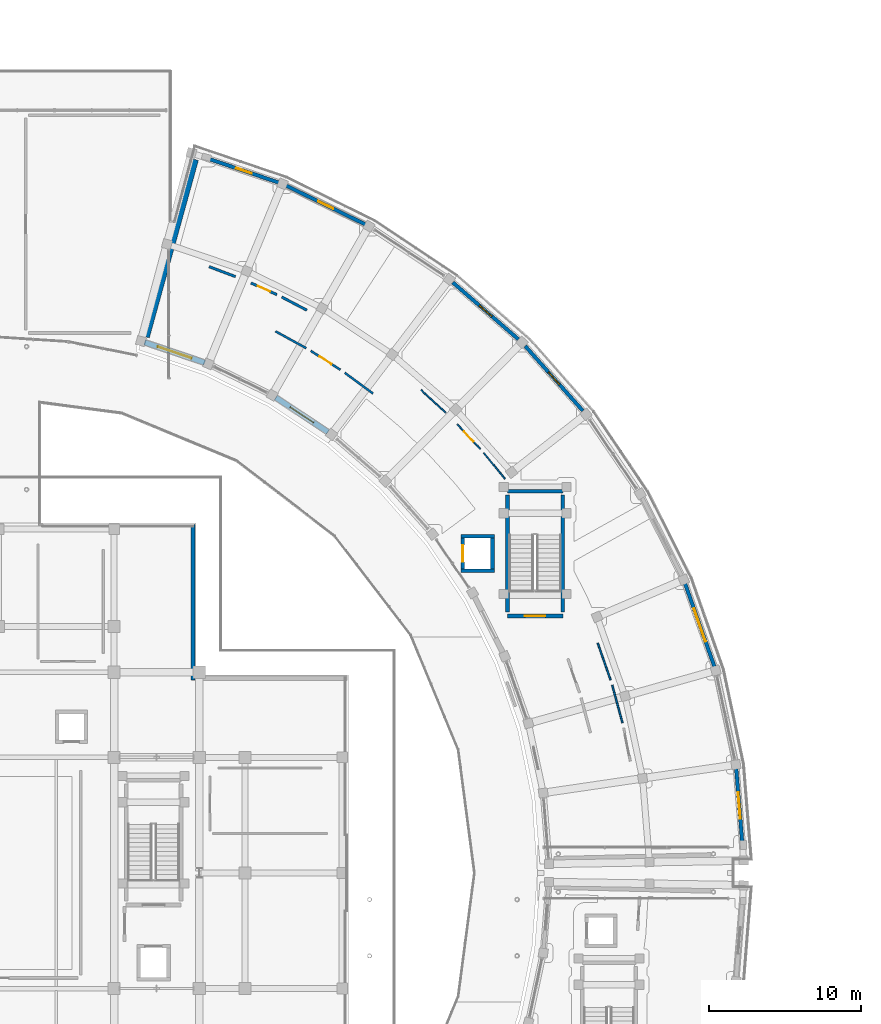
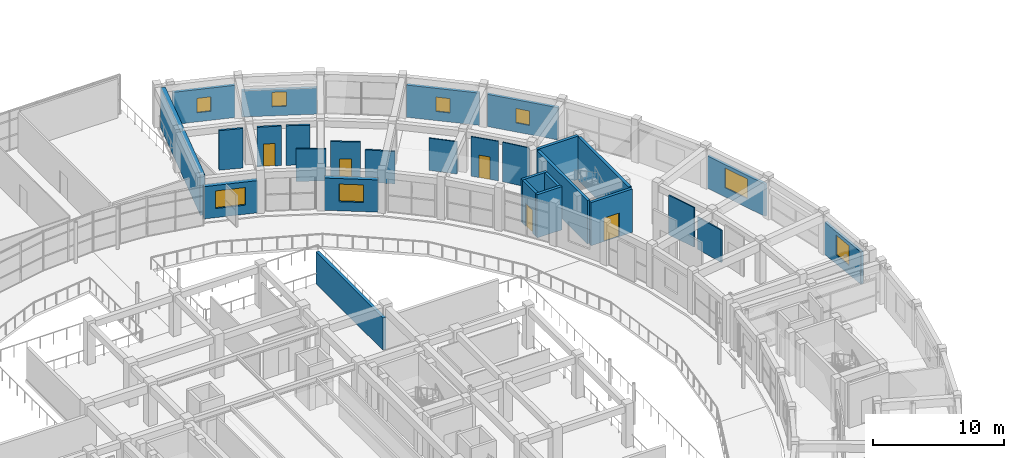
# One storey, part 61 of 83: 29 walls, 8 windows, 5 doors, 13 openings.
"""IFC4 building model written with IfcOpenShell, lengths in metres."""

from ifc_helpers import new_model, si_unit, direction, frame, frame_2d, origin, place, context, subcontext, project, spatial, rectangle, extrude, material, layer, layer_set, type_object, element, fill, save


model = new_model("IFC4")

# Units and contexts
model_context = context("Model", 3, precision=1e-05, world=origin(), true_north=direction((0.0, 1.0)))
body_context = subcontext(model_context, "Body", "Model", "MODEL_VIEW")
ifc_project = project(units=[si_unit("LENGTHUNIT", "METRE"), si_unit("AREAUNIT", "SQUARE_METRE"), si_unit("VOLUMEUNIT", "CUBIC_METRE"), si_unit("PLANEANGLEUNIT", "RADIAN"), si_unit("MASSUNIT", "GRAM", prefix="KILO")], contexts=[model_context])

# Site, building, storey
site_placement = place(None, origin())
site = spatial("IfcSite", under=ifc_project, at=site_placement, CompositionType="ELEMENT")
building_placement = place(site_placement, origin())
building = spatial("IfcBuilding", under=site, at=building_placement, Name="Saryqyr Civic Hall", CompositionType="ELEMENT")
storey_placement = place(building_placement, frame((0.0, 0.0, 9.14990234375)))
storey = spatial("IfcBuildingStorey", under=building, at=storey_placement, Name="L02", CompositionType="ELEMENT", Elevation=9.14990234375)

# Wall, opening, window
ifc_material_1 = material(Name="Precast concrete C40/50", Category="concrete")
ifc_layer_1 = layer(ifc_material_1, 0.239990234375, Name="Precast concrete C40/50")
ifc_layer_set_1 = layer_set([ifc_layer_1], Name="Precast concrete C40/50")
wall_type_1 = type_object("IfcWallType", Name="ENV-WAL-EXT-240", PredefinedType="STANDARD", material=ifc_layer_set_1)
wall_1_placement = place(storey_placement, frame((105.4990234375, 90.885009765625, 0.0), z_axis=(0.0, 0.0, 1.0), x_axis=(0.081149437974, -0.996701945777, 0.0)))
wall_1 = element("IfcWall", 1, at=wall_1_placement, inside=storey, type_object=wall_type_1, Name="Exterior wall V6-EWO-L02-00", PredefinedType="STANDARD", context=body_context, shape_type="SweptSolid", body=[
    extrude(rectangle(XDim=4.912841796875, YDim=0.239990234375, at=frame_2d((2.45654296875, 0.0))), origin(), (0.0, 0.0, 1.0), 3.01513671875),
])
opening_1_placement = place(wall_1_placement, frame((1.5810546875, 0.0, 0.85009765625)))
opening_1 = element("IfcOpeningElement", 2, at=opening_1_placement, cuts=wall_1, Name="Opening W-27", PredefinedType="OPENING", context=body_context, shape_type="SweptSolid", body=[
    extrude(rectangle(XDim=1.75, YDim=1.85009765625, at=frame_2d((0.875, 0.925048828125))), frame((0.0, 0.1298828125, 0.0), z_axis=(0.0, -1.0, 0.0), x_axis=(1.0, 0.0, 0.0)), (0.0, 0.0, 1.0), 0.260009765625),
])
ifc_material_2 = material(Name="Anodised aluminium and triple low-E glass", Category="aluminium")
window_type_1 = type_object("IfcWindowType", Name="ENV-WIN-W27", PartitioningType="SINGLE_PANEL", PredefinedType="WINDOW", material=ifc_material_2)
window_1_placement = place(opening_1_placement, origin())
window_1 = element("IfcWindow", 3, at=window_1_placement, inside=storey, type_object=window_type_1, Name="Exterior ribbon window V6-L02-00", OverallHeight=1.85009765625, OverallWidth=1.75, PartitioningType="SINGLE_PANEL", PredefinedType="WINDOW", context=body_context, shape_type="SweptSolid", body=[
    extrude(rectangle(XDim=1.75, YDim=1.85009765625, at=frame_2d((0.875, 0.925048828125))), frame((0.0, 0.030029296875, 0.0), z_axis=(0.0, -1.0, 0.0), x_axis=(1.0, 0.0, 0.0)), (0.0, 0.0, 1.0), 0.06005859375),
])
fill(opening_1, window_1)

wall_2_placement = place(storey_placement, frame((102.13232421875, 103.04052734375, 0.0), z_axis=(0.0, 0.0, 1.0), x_axis=(0.333212182882, -0.942851865978, 0.0)))
wall_2 = element("IfcWall", 4, at=wall_2_placement, inside=storey, type_object=wall_type_1, Name="Exterior wall V6-EWO-L02-02", PredefinedType="STANDARD", context=body_context, shape_type="SweptSolid", body=[
    extrude(rectangle(XDim=5.830078125, YDim=0.239990234375, at=frame_2d((2.9150390625, 0.0))), origin(), (0.0, 0.0, 1.0), 3.01513671875),
])
opening_2_placement = place(wall_2_placement, frame((1.764892578125, 0.0, 0.85009765625)))
opening_2 = element("IfcOpeningElement", 5, at=opening_2_placement, cuts=wall_2, Name="Opening W-29", PredefinedType="OPENING", context=body_context, shape_type="SweptSolid", body=[
    extrude(rectangle(XDim=2.300048828125, YDim=1.85009765625, at=frame_2d((1.14990234375, 0.925048828125))), frame((0.0, 0.1298828125, 0.0), z_axis=(0.0, -1.0, 0.0), x_axis=(1.0, 0.0, 0.0)), (0.0, 0.0, 1.0), 0.260009765625),
])
window_type_2 = type_object("IfcWindowType", Name="ENV-WIN-W29", PartitioningType="SINGLE_PANEL", PredefinedType="WINDOW", material=ifc_material_2)
window_2_placement = place(opening_2_placement, origin())
window_2 = element("IfcWindow", 6, at=window_2_placement, inside=storey, type_object=window_type_2, Name="Exterior ribbon window V6-L02-02", OverallHeight=1.85009765625, OverallWidth=2.300048828125, PartitioningType="SINGLE_PANEL", PredefinedType="WINDOW", context=body_context, shape_type="SweptSolid", body=[
    extrude(rectangle(XDim=2.300048828125, YDim=1.85009765625, at=frame_2d((1.14990234375, 0.925048828125))), frame((0.0, 0.030029296875, 0.0), z_axis=(0.0, -1.0, 0.0), x_axis=(1.0, 0.0, 0.0)), (0.0, 0.0, 1.0), 0.06005859375),
])
fill(opening_2, window_2)

wall_3_placement = place(storey_placement, frame((91.626953125, 118.642333984375, 0.0), z_axis=(0.0, 0.0, 1.0), x_axis=(0.6649220167, -0.746912787217, 0.0)))
wall_3 = element("IfcWall", 7, at=wall_3_placement, inside=storey, type_object=wall_type_1, Name="Exterior wall V6-EWO-L02-05", PredefinedType="STANDARD", context=body_context, shape_type="SweptSolid", body=[
    extrude(rectangle(XDim=5.69921875, YDim=0.239990234375, at=frame_2d((2.849609375, 0.0))), origin(), (0.0, 0.0, 1.0), 3.01513671875),
])
opening_3_placement = place(wall_3_placement, frame((2.300048828125, 0.0, 0.85009765625)))
opening_3 = element("IfcOpeningElement", 8, at=opening_3_placement, cuts=wall_3, Name="Opening W-01", PredefinedType="OPENING", context=body_context, shape_type="SweptSolid", body=[
    extrude(rectangle(XDim=1.10009765625, YDim=1.35009765625, at=frame_2d((0.550048828125, 0.675048828125))), frame((0.0, 0.1298828125, 0.0), z_axis=(0.0, -1.0, 0.0), x_axis=(1.0, 0.0, 0.0)), (0.0, 0.0, 1.0), 0.260009765625),
])
window_type_3 = type_object("IfcWindowType", Name="ENV-WIN-W01", PartitioningType="SINGLE_PANEL", PredefinedType="WINDOW", material=ifc_material_2)
window_3_placement = place(opening_3_placement, origin())
window_3 = element("IfcWindow", 9, at=window_3_placement, inside=storey, type_object=window_type_3, Name="Exterior ribbon window V6-L02-05", OverallHeight=1.35009765625, OverallWidth=1.10009765625, PartitioningType="SINGLE_PANEL", PredefinedType="WINDOW", context=body_context, shape_type="SweptSolid", body=[
    extrude(rectangle(XDim=1.10009765625, YDim=1.35009765625, at=frame_2d((0.550048828125, 0.675048828125))), frame((0.0, 0.030029296875, 0.0), z_axis=(0.0, -1.0, 0.0), x_axis=(1.0, 0.0, 0.0)), (0.0, 0.0, 1.0), 0.06005859375),
])
fill(opening_3, window_3)

wall_4_placement = place(storey_placement, frame((86.87060546875, 122.818603515625, 0.0), z_axis=(0.0, 0.0, 1.0), x_axis=(0.755648143479, -0.654977773101, 0.0)))
wall_4 = element("IfcWall", 10, at=wall_4_placement, inside=storey, type_object=wall_type_1, Name="Exterior wall V6-EWO-L02-06", PredefinedType="STANDARD", context=body_context, shape_type="SweptSolid", body=[
    extrude(rectangle(XDim=5.706298828125, YDim=0.239990234375, at=frame_2d((2.85302734375, 0.0))), origin(), (0.0, 0.0, 1.0), 3.01513671875),
])
opening_4_placement = place(wall_4_placement, frame((2.302978515625, 0.0, 0.85009765625)))
opening_4 = element("IfcOpeningElement", 11, at=opening_4_placement, cuts=wall_4, Name="Opening W-01", PredefinedType="OPENING", context=body_context, shape_type="SweptSolid", body=[
    extrude(rectangle(XDim=1.10009765625, YDim=1.35009765625, at=frame_2d((0.550048828125, 0.675048828125))), frame((0.0, 0.1298828125, 0.0), z_axis=(0.0, -1.0, 0.0), x_axis=(1.0, 0.0, 0.0)), (0.0, 0.0, 1.0), 0.260009765625),
])
window_4_placement = place(opening_4_placement, origin())
window_4 = element("IfcWindow", 12, at=window_4_placement, inside=storey, type_object=window_type_3, Name="Exterior ribbon window V6-L02-06", OverallHeight=1.35009765625, OverallWidth=1.10009765625, PartitioningType="SINGLE_PANEL", PredefinedType="WINDOW", context=body_context, shape_type="SweptSolid", body=[
    extrude(rectangle(XDim=1.10009765625, YDim=1.35009765625, at=frame_2d((0.550048828125, 0.675048828125))), frame((0.0, 0.030029296875, 0.0), z_axis=(0.0, -1.0, 0.0), x_axis=(1.0, 0.0, 0.0)), (0.0, 0.0, 1.0), 0.06005859375),
])
fill(opening_4, window_4)

wall_5_placement = place(storey_placement, frame((75.911376953125, 129.185791015625, 0.0), z_axis=(0.0, 0.0, 1.0), x_axis=(0.897990135392, -0.440015586927, 0.0)))
wall_5 = element("IfcWall", 13, at=wall_5_placement, inside=storey, type_object=wall_type_1, Name="Exterior wall V6-EWO-L02-08", PredefinedType="STANDARD", context=body_context, shape_type="SweptSolid", body=[
    extrude(rectangle(XDim=5.8046875, YDim=0.239990234375, at=frame_2d((2.90234375, 0.0))), origin(), (0.0, 0.0, 1.0), 2.4501953125),
])
opening_5_placement = place(wall_5_placement, frame((2.35205078125, 0.0, 0.85009765625)))
opening_5 = element("IfcOpeningElement", 14, at=opening_5_placement, cuts=wall_5, Name="Opening W-01", PredefinedType="OPENING", context=body_context, shape_type="SweptSolid", body=[
    extrude(rectangle(XDim=1.10009765625, YDim=1.35009765625, at=frame_2d((0.550048828125, 0.675048828125))), frame((0.0, 0.1298828125, 0.0), z_axis=(0.0, -1.0, 0.0), x_axis=(1.0, 0.0, 0.0)), (0.0, 0.0, 1.0), 0.260009765625),
])
window_5_placement = place(opening_5_placement, origin())
window_5 = element("IfcWindow", 15, at=window_5_placement, inside=storey, type_object=window_type_3, Name="Exterior ribbon window V6-L02-08", OverallHeight=1.35009765625, OverallWidth=1.10009765625, PartitioningType="SINGLE_PANEL", PredefinedType="WINDOW", context=body_context, shape_type="SweptSolid", body=[
    extrude(rectangle(XDim=1.10009765625, YDim=1.35009765625, at=frame_2d((0.550048828125, 0.675048828125))), frame((0.0, 0.030029296875, 0.0), z_axis=(0.0, -1.0, 0.0), x_axis=(1.0, 0.0, 0.0)), (0.0, 0.0, 1.0), 0.06005859375),
])
fill(opening_5, window_5)

wall_6_placement = place(storey_placement, frame((70.820556640625, 130.945068359375, 0.0), z_axis=(0.0, 0.0, 1.0), x_axis=(0.947186506556, -0.320683210969, 0.0)))
wall_6 = element("IfcWall", 16, at=wall_6_placement, inside=storey, type_object=wall_type_1, Name="Exterior wall V6-EWO-L02-09", PredefinedType="STANDARD", context=body_context, shape_type="SweptSolid", body=[
    extrude(rectangle(XDim=4.87841796875, YDim=0.239990234375, at=frame_2d((2.439208984375, 0.0))), origin(), (0.0, 0.0, 1.0), 3.01513671875),
])
opening_6_placement = place(wall_6_placement, frame((1.888916015625, 0.0, 0.85009765625)))
opening_6 = element("IfcOpeningElement", 17, at=opening_6_placement, cuts=wall_6, Name="Opening W-01", PredefinedType="OPENING", context=body_context, shape_type="SweptSolid", body=[
    extrude(rectangle(XDim=1.10009765625, YDim=1.35009765625, at=frame_2d((0.550048828125, 0.675048828125))), frame((0.0, 0.1298828125, 0.0), z_axis=(0.0, -1.0, 0.0), x_axis=(1.0, 0.0, 0.0)), (0.0, 0.0, 1.0), 0.260009765625),
])
window_6_placement = place(opening_6_placement, origin())
window_6 = element("IfcWindow", 18, at=window_6_placement, inside=storey, type_object=window_type_3, Name="Exterior ribbon window V6-L02-09", OverallHeight=1.35009765625, OverallWidth=1.10009765625, PartitioningType="SINGLE_PANEL", PredefinedType="WINDOW", context=body_context, shape_type="SweptSolid", body=[
    extrude(rectangle(XDim=1.10009765625, YDim=1.35009765625, at=frame_2d((0.550048828125, 0.675048828125))), frame((0.0, 0.030029296875, 0.0), z_axis=(0.0, -1.0, 0.0), x_axis=(1.0, 0.0, 0.0)), (0.0, 0.0, 1.0), 0.06005859375),
])
fill(opening_6, window_6)

# Wall
ifc_layer_2 = layer(ifc_material_1, 0.27001953125, Name="Precast concrete C40/50")
ifc_layer_set_2 = layer_set([ifc_layer_2], Name="Precast concrete C40/50")
wall_type_2 = type_object("IfcWallType", Name="ENV-WAL-EXT-270", PredefinedType="STANDARD", material=ifc_layer_set_2)
wall_7_placement = place(storey_placement, frame((69.800048828125, 106.919921875, 0.0), z_axis=(0.0, 0.0, 1.0), x_axis=(0.0, -1.0, 0.0)))
element("IfcWall", 19, at=wall_7_placement, inside=storey, type_object=wall_type_2, Name="Exterior wall V1-EW-L02-06", PredefinedType="STANDARD", context=body_context, shape_type="SweptSolid", body=[
    extrude(rectangle(XDim=10.239990234375, YDim=0.27001953125, at=frame_2d((5.1201171875, 0.0))), origin(), (0.0, 0.0, 1.0), 3.01513671875),
])

# Wall, opening, window
ifc_layer_3 = layer(ifc_material_1, 0.340087890625, Name="Precast concrete C40/50")
ifc_layer_set_3 = layer_set([ifc_layer_3], Name="Precast concrete C40/50")
wall_type_3 = type_object("IfcWallType", Name="ENV-WAL-EXT-340", PredefinedType="STANDARD", material=ifc_layer_set_3)
wall_8_placement = place(storey_placement, frame((78.658935546875, 112.984375, 0.0), z_axis=(0.0, 0.0, 1.0), x_axis=(-0.833763777336, 0.552121330508, 0.0)))
wall_8 = element("IfcWall", 20, at=wall_8_placement, inside=storey, type_object=wall_type_3, Name="Exterior wall V6-EWI-L02-07", PredefinedType="STANDARD", context=body_context, shape_type="SweptSolid", body=[
    extrude(rectangle(XDim=4.111572265625, YDim=0.340087890625, at=frame_2d((2.0556640625, 0.0))), origin(), (0.0, 0.0, 1.0), 3.01513671875),
])
opening_7_placement = place(wall_8_placement, frame((1.131103515625, 0.0, 0.85009765625)))
opening_7 = element("IfcOpeningElement", 21, at=opening_7_placement, cuts=wall_8, Name="Opening W-20", PredefinedType="OPENING", context=body_context, shape_type="SweptSolid", body=[
    extrude(rectangle(XDim=1.85009765625, YDim=1.64990234375, at=frame_2d((0.925048828125, 0.824951171875))), frame((0.0, 0.179931640625, 0.0), z_axis=(0.0, -1.0, 0.0), x_axis=(1.0, 0.0, 0.0)), (0.0, 0.0, 1.0), 0.360107421875),
])
window_type_4 = type_object("IfcWindowType", Name="ENV-WIN-W20", PartitioningType="SINGLE_PANEL", PredefinedType="WINDOW", material=ifc_material_2)
window_7_placement = place(opening_7_placement, origin())
window_7 = element("IfcWindow", 22, at=window_7_placement, inside=storey, type_object=window_type_4, Name="Courtyard window V6-L02-07", OverallHeight=1.64990234375, OverallWidth=1.85009765625, PartitioningType="SINGLE_PANEL", PredefinedType="WINDOW", context=body_context, shape_type="SweptSolid", body=[
    extrude(rectangle(XDim=1.85009765625, YDim=1.64990234375, at=frame_2d((0.925048828125, 0.824951171875))), frame((0.0, 0.030029296875, 0.0), z_axis=(0.0, -1.0, 0.0), x_axis=(1.0, 0.0, 0.0)), (0.0, 0.0, 1.0), 0.06005859375),
])
fill(opening_7, window_7)

wall_9_placement = place(storey_placement, frame((70.562744140625, 117.547119140625, 0.0), z_axis=(0.0, 0.0, 1.0), x_axis=(-0.947212694363, 0.32060585091, 0.0)))
wall_9 = element("IfcWall", 23, at=wall_9_placement, inside=storey, type_object=wall_type_3, Name="Exterior wall V6-EWI-L02-09", PredefinedType="STANDARD", context=body_context, shape_type="SweptSolid", body=[
    extrude(rectangle(XDim=4.17919921875, YDim=0.340087890625, at=frame_2d((2.089599609375, 0.0))), origin(), (0.0, 0.0, 1.0), 3.01513671875),
])
opening_8_placement = place(wall_9_placement, frame((0.9150390625, 0.0, 0.85009765625)))
opening_8 = element("IfcOpeningElement", 24, at=opening_8_placement, cuts=wall_9, Name="Opening W-22", PredefinedType="OPENING", context=body_context, shape_type="SweptSolid", body=[
    extrude(rectangle(XDim=2.35009765625, YDim=1.64990234375, at=frame_2d((1.175048828125, 0.824951171875))), frame((0.0, 0.179931640625, 0.0), z_axis=(0.0, -1.0, 0.0), x_axis=(1.0, 0.0, 0.0)), (0.0, 0.0, 1.0), 0.360107421875),
])
window_type_5 = type_object("IfcWindowType", Name="ENV-WIN-W22", PartitioningType="SINGLE_PANEL", PredefinedType="WINDOW", material=ifc_material_2)
window_8_placement = place(opening_8_placement, origin())
window_8 = element("IfcWindow", 25, at=window_8_placement, inside=storey, type_object=window_type_5, Name="Courtyard window V6-L02-09", OverallHeight=1.64990234375, OverallWidth=2.35009765625, PartitioningType="SINGLE_PANEL", PredefinedType="WINDOW", context=body_context, shape_type="SweptSolid", body=[
    extrude(rectangle(XDim=2.35009765625, YDim=1.64990234375, at=frame_2d((1.175048828125, 0.824951171875))), frame((0.0, 0.030029296875, 0.0), z_axis=(0.0, -1.0, 0.0), x_axis=(1.0, 0.0, 0.0)), (0.0, 0.0, 1.0), 0.06005859375),
])
fill(opening_8, window_8)

# Wall
ifc_material_3 = material(Name="Concrete C40/50", Category="concrete")
ifc_layer_4 = layer(ifc_material_3, 0.3798828125, Name="Concrete C40/50")
ifc_layer_set_4 = layer_set([ifc_layer_4], Name="Concrete C40/50")
wall_type_4 = type_object("IfcWallType", Name="ENV-WAL-PTY-380", PredefinedType="SHEAR", material=ifc_layer_set_4)
wall_10_placement = place(storey_placement, frame((66.73681640625, 119.229248046875, 0.0), z_axis=(0.0, 0.0, 1.0), x_axis=(0.266399016259, 0.963862834711, 0.0)))
element("IfcWall", 26, at=wall_10_placement, inside=storey, type_object=wall_type_4, Name="Exterior wall V6-JNTW-B-L02", PredefinedType="SHEAR", context=body_context, shape_type="SweptSolid", body=[
    extrude(rectangle(XDim=12.099853515625, YDim=0.3798828125, at=frame_2d((6.0498046875, 0.0))), origin(), (0.0, 0.0, 1.0), 3.75),
])

# Wall, opening, door
ifc_material_4 = material(Name="Lightweight demountable partition", Category="gypsum")
ifc_layer_5 = layer(ifc_material_4, 0.094970703125, Name="Lightweight demountable partition")
ifc_layer_set_5 = layer_set([ifc_layer_5], Name="Lightweight demountable partition")
wall_type_5 = type_object("IfcWallType", Name="INT-WAL-PRT-095", PredefinedType="PARTITIONING", material=ifc_layer_set_5)
wall_11_placement = place(storey_placement, frame((88.67041015625, 111.880615234375, 0.0), z_axis=(0.0, 0.0, 1.0), x_axis=(-0.683283224452, 0.730153432631, 0.0)))
wall_11 = element("IfcWall", 27, at=wall_11_placement, inside=storey, type_object=wall_type_5, Name="Interior partition PRT-SP-V6-L02-R02-W1", PredefinedType="PARTITIONING", context=body_context, shape_type="SweptSolid", body=[
    extrude(rectangle(XDim=2.1982421875, YDim=0.094970703125, at=frame_2d((1.09912109375, 0.0))), origin(), (0.0, 0.0, 1.0), 3.7001953125),
])
opening_9_placement = place(wall_11_placement, frame((0.64892578125, 0.0, 0.0)))
opening_9 = element("IfcOpeningElement", 28, at=opening_9_placement, cuts=wall_11, Name="Opening D-01", PredefinedType="OPENING", context=body_context, shape_type="SweptSolid", body=[
    extrude(rectangle(XDim=0.89990234375, YDim=2.10009765625, at=frame_2d((0.449951171875, 1.050048828125))), frame((0.0, 0.057373046875, 0.0), z_axis=(0.0, -1.0, 0.0), x_axis=(1.0, 0.0, 0.0)), (0.0, 0.0, 1.0), 0.114990234375),
])
ifc_material_5 = material(Name="Acoustic solid-core oak veneer", Category="wood")
door_type_1 = type_object("IfcDoorType", Name="INT-DR-D-01", OperationType="NOTDEFINED", PredefinedType="DOOR", material=ifc_material_5)
door_1_placement = place(opening_9_placement, origin())
door_1 = element("IfcDoor", 29, at=door_1_placement, inside=storey, type_object=door_type_1, Name="Interior door Green Parks & Canal Engineering Office", OperationType="SINGLE_SWING_LEFT", OverallHeight=2.10009765625, OverallWidth=0.89990234375, PredefinedType="DOOR", context=body_context, shape_type="SweptSolid", body=[
    extrude(rectangle(XDim=0.89990234375, YDim=2.10009765625, at=frame_2d((0.449951171875, 1.050048828125))), frame((0.0, 0.02490234375, 0.0), z_axis=(0.0, -1.0, 0.0), x_axis=(1.0, 0.0, 0.0)), (0.0, 0.0, 1.0), 0.050048828125),
])
fill(opening_9, door_1)

# Walls
wall_12_placement = place(storey_placement, frame((90.294189453125, 109.904296875, 0.0), z_axis=(0.0, 0.0, 1.0), x_axis=(-0.631039893998, 0.775750380073, 0.0)))
element("IfcWall", 30, at=wall_12_placement, inside=storey, type_object=wall_type_5, Name="Interior partition PRT-SP-V6-L02-R02-W2", PredefinedType="PARTITIONING", context=body_context, shape_type="SweptSolid", body=[
    extrude(rectangle(XDim=2.1982421875, YDim=0.094970703125, at=frame_2d((1.09912109375, 0.0))), origin(), (0.0, 0.0, 1.0), 3.7001953125),
])
wall_13_placement = place(storey_placement, frame((86.389892578125, 114.26171875, 0.0), z_axis=(0.0, 0.0, 1.0), x_axis=(-0.732350300901, 0.680928070188, 0.0)))
element("IfcWall", 31, at=wall_13_placement, inside=storey, type_object=wall_type_5, Name="Interior partition PRT-SP-V6-L02-R02-W3", PredefinedType="PARTITIONING", context=body_context, shape_type="SweptSolid", body=[
    extrude(rectangle(XDim=2.1982421875, YDim=0.094970703125, at=frame_2d((1.09912109375, 0.0))), origin(), (0.0, 0.0, 1.0), 3.01513671875),
])
ifc_material_6 = material(Name="Moisture-resistant gypsum partition", Category="gypsum")
ifc_layer_6 = layer(ifc_material_6, 0.110107421875, Name="Moisture-resistant gypsum partition")
ifc_layer_set_6 = layer_set([ifc_layer_6], Name="Moisture-resistant gypsum partition")
wall_type_6 = type_object("IfcWallType", Name="INT-WAL-PRT-110", PredefinedType="PARTITIONING", material=ifc_layer_set_6)
wall_14_placement = place(storey_placement, frame((98.0244140625, 93.866943359375, 0.0), z_axis=(0.0, 0.0, 1.0), x_axis=(-0.263415008431, 0.964682607562, 0.0)))
element("IfcWall", 32, at=wall_14_placement, inside=storey, type_object=wall_type_6, Name="Interior partition PRT-SP-V6-L02-R01-W1", PredefinedType="PARTITIONING", context=body_context, shape_type="SweptSolid", body=[
    extrude(rectangle(XDim=2.568359375, YDim=0.110107421875, at=frame_2d((1.2841796875, 0.0))), origin(), (0.0, 0.0, 1.0), 3.01513671875),
])
wall_15_placement = place(storey_placement, frame((97.2412109375, 96.68798828125, 0.0), z_axis=(0.0, 0.0, 1.0), x_axis=(-0.32957120556, 0.944130722128, 0.0)))
element("IfcWall", 33, at=wall_15_placement, inside=storey, type_object=wall_type_6, Name="Interior partition PRT-SP-V6-L02-R01-W3", PredefinedType="PARTITIONING", context=body_context, shape_type="SweptSolid", body=[
    extrude(rectangle(XDim=2.568359375, YDim=0.110107421875, at=frame_2d((1.2841796875, 0.0))), origin(), (0.0, 0.0, 1.0), 3.7001953125),
])

# Wall, opening, door
ifc_material_7 = material(Name="Metal-stud gypsum board partition", Category="gypsum")
ifc_layer_7 = layer(ifc_material_7, 0.139892578125, Name="Metal-stud gypsum board partition")
ifc_layer_set_7 = layer_set([ifc_layer_7], Name="Metal-stud gypsum board partition")
wall_type_7 = type_object("IfcWallType", Name="INT-WAL-PRT-140", PredefinedType="PARTITIONING", material=ifc_layer_set_7)
wall_16_placement = place(storey_placement, frame((77.534912109375, 118.320068359375, 0.0), z_axis=(0.0, 0.0, 1.0), x_axis=(0.843009303059, -0.537898982111, 0.0)))
wall_16 = element("IfcWall", 34, at=wall_16_placement, inside=storey, type_object=wall_type_7, Name="Interior partition PRT-SP-V6-L02-R05-W1", PredefinedType="PARTITIONING", context=body_context, shape_type="SweptSolid", body=[
    extrude(rectangle(XDim=2.298828125, YDim=0.139892578125, at=frame_2d((1.1494140625, 0.0))), origin(), (0.0, 0.0, 1.0), 3.7001953125),
])
opening_10_placement = place(wall_16_placement, frame((0.674072265625, 0.0, 0.0)))
opening_10 = element("IfcOpeningElement", 35, at=opening_10_placement, cuts=wall_16, Name="Opening D-02", PredefinedType="OPENING", context=body_context, shape_type="SweptSolid", body=[
    extrude(rectangle(XDim=0.949951171875, YDim=2.10009765625, at=frame_2d((0.47509765625, 1.050048828125))), frame((0.0, 0.079833984375, 0.0), z_axis=(0.0, -1.0, 0.0), x_axis=(1.0, 0.0, 0.0)), (0.0, 0.0, 1.0), 0.159912109375),
])
door_type_2 = type_object("IfcDoorType", Name="INT-DR-D-02", OperationType="NOTDEFINED", PredefinedType="DOOR", material=ifc_material_5)
door_2_placement = place(opening_10_placement, origin())
door_2 = element("IfcDoor", 36, at=door_2_placement, inside=storey, type_object=door_type_2, Name="Interior door Engineering Archives & Plan Inspection Room", OperationType="SINGLE_SWING_RIGHT", OverallHeight=2.10009765625, OverallWidth=0.949951171875, PredefinedType="DOOR", context=body_context, shape_type="SweptSolid", body=[
    extrude(rectangle(XDim=0.949951171875, YDim=2.10009765625, at=frame_2d((0.47509765625, 1.050048828125))), frame((0.0, 0.02490234375, 0.0), z_axis=(0.0, -1.0, 0.0), x_axis=(1.0, 0.0, 0.0)), (0.0, 0.0, 1.0), 0.050048828125),
])
fill(opening_10, door_2)

# Walls
for number, where, z_axis, x_axis, name in (
    (37, (79.76953125, 116.880126953125, 0.0), (0.0, 0.0, 1.0), (0.805421378713, -0.59270262587, 0.0), "Interior partition PRT-SP-V6-L02-R05-W2"),
    (38, (75.209716796875, 119.6083984375, 0.0), (0.0, 0.0, 1.0), (0.876903386167, -0.480666673827, 0.0), "Interior partition PRT-SP-V6-L02-R05-W3"),
):
    element("IfcWall", number, at=place(storey_placement, frame(where, z_axis=z_axis, x_axis=x_axis)), inside=storey, type_object=wall_type_7, Name=name, PredefinedType="PARTITIONING", context=body_context, shape_type="SweptSolid", body=[
        extrude(rectangle(XDim=2.298828125, YDim=0.139892578125, at=frame_2d((1.1494140625, 0.0))), origin(), (0.0, 0.0, 1.0), 3.01513671875),
    ])

# Wall, opening, door
ifc_material_8 = material(Name="Acoustic double-stud gypsum board", Category="gypsum")
ifc_layer_8 = layer(ifc_material_8, 0.169921875, Name="Acoustic double-stud gypsum board")
ifc_layer_set_8 = layer_set([ifc_layer_8], Name="Acoustic double-stud gypsum board")
wall_type_8 = type_object("IfcWallType", Name="INT-WAL-PRT-170", PredefinedType="PARTITIONING", material=ifc_layer_set_8)
wall_17_placement = place(storey_placement, frame((75.300537109375, 122.019775390625, 0.0), z_axis=(0.0, 0.0, 1.0), x_axis=(-0.912201421818, 0.40974207257, 0.0)))
wall_17 = element("IfcWall", 39, at=wall_17_placement, inside=storey, type_object=wall_type_8, Name="Interior partition PRT-SP-V6-L02-R03-W1", PredefinedType="PARTITIONING", context=body_context, shape_type="SweptSolid", body=[
    extrude(rectangle(XDim=1.859130859375, YDim=0.169921875, at=frame_2d((0.9296875, 0.0))), origin(), (0.0, 0.0, 1.0), 3.7001953125),
])
opening_11_placement = place(wall_17_placement, frame((0.47998046875, 0.0, 0.0)))
opening_11 = element("IfcOpeningElement", 40, at=opening_11_placement, cuts=wall_17, Name="Opening D-01", PredefinedType="OPENING", context=body_context, shape_type="SweptSolid", body=[
    extrude(rectangle(XDim=0.89990234375, YDim=2.10009765625, at=frame_2d((0.449951171875, 1.050048828125))), frame((0.0, 0.094970703125, 0.0), z_axis=(0.0, -1.0, 0.0), x_axis=(1.0, 0.0, 0.0)), (0.0, 0.0, 1.0), 0.18994140625),
])
door_3_placement = place(opening_11_placement, origin())
door_3 = element("IfcDoor", 41, at=door_3_placement, inside=storey, type_object=door_type_1, Name="Interior door Staff & Accessible MGN WC L02-N", OperationType="SINGLE_SWING_RIGHT", OverallHeight=2.10009765625, OverallWidth=0.89990234375, PredefinedType="DOOR", context=body_context, shape_type="SweptSolid", body=[
    extrude(rectangle(XDim=0.89990234375, YDim=2.10009765625, at=frame_2d((0.449951171875, 1.050048828125))), frame((0.0, 0.02490234375, 0.0), z_axis=(0.0, -1.0, 0.0), x_axis=(1.0, 0.0, 0.0)), (0.0, 0.0, 1.0), 0.050048828125),
])
fill(opening_11, door_3)

# Walls
for number, where, z_axis, x_axis, name in (
    (42, (77.270263671875, 120.997802734375, 0.0), (0.0, 0.0, 1.0), (-0.88531952644, 0.464983156797, 0.0), "Interior partition PRT-SP-V6-L02-R03-W2"),
    (43, (72.58837890625, 123.201171875, 0.0), (0.0, 0.0, 1.0), (-0.935631179075, 0.352979173243, 0.0), "Interior partition PRT-SP-V6-L02-R03-W3"),
):
    element("IfcWall", number, at=place(storey_placement, frame(where, z_axis=z_axis, x_axis=x_axis)), inside=storey, type_object=wall_type_8, Name=name, PredefinedType="PARTITIONING", context=body_context, shape_type="SweptSolid", body=[
        extrude(rectangle(XDim=1.859130859375, YDim=0.169921875, at=frame_2d((0.9296875, 0.0))), origin(), (0.0, 0.0, 1.0), 3.7001953125),
    ])
ifc_layer_9 = layer(ifc_material_3, 0.239990234375, Name="Concrete C40/50")
ifc_layer_set_9 = layer_set([ifc_layer_9], Name="Concrete C40/50")
wall_type_9 = type_object("IfcWallType", Name="INT-WAL-SHR-240", PredefinedType="SHEAR", material=ifc_layer_set_9)
wall_18_placement = place(storey_placement, frame((89.60009765625, 103.8701171875, 0.0), z_axis=(0.0, 0.0, 1.0), x_axis=(-1.0, 0.0, 0.0)))
element("IfcWall", 44, at=wall_18_placement, inside=storey, type_object=wall_type_9, Name="Lift shaft shear wall LF-08-SHW-S-L02", PredefinedType="SHEAR", context=body_context, shape_type="SweptSolid", body=[
    extrude(rectangle(XDim=2.2001953125, YDim=0.239990234375, at=frame_2d((1.10009765625, 0.0))), origin(), (0.0, 0.0, 1.0), 4.050048828125),
])
wall_19_placement = place(storey_placement, frame((89.47998046875, 106.010009765625, 0.0), z_axis=(0.0, 0.0, 1.0), x_axis=(0.0, -1.0, 0.0)))
element("IfcWall", 45, at=wall_19_placement, inside=storey, type_object=wall_type_9, Name="Lift shaft shear wall LF-08-SHW-E-L02", PredefinedType="SHEAR", context=body_context, shape_type="SweptSolid", body=[
    extrude(rectangle(XDim=2.02001953125, YDim=0.239990234375, at=frame_2d((1.010009765625, 0.0))), origin(), (0.0, 0.0, 1.0), 4.050048828125),
])
wall_20_placement = place(storey_placement, frame((87.39990234375, 106.1298828125, 0.0), z_axis=(0.0, 0.0, 1.0), x_axis=(1.0, 0.0, 0.0)))
element("IfcWall", 46, at=wall_20_placement, inside=storey, type_object=wall_type_9, Name="Lift shaft shear wall LF-08-SHW-N-L02", PredefinedType="SHEAR", context=body_context, shape_type="SweptSolid", body=[
    extrude(rectangle(XDim=2.2001953125, YDim=0.239990234375, at=frame_2d((1.10009765625, 0.0))), origin(), (0.0, 0.0, 1.0), 4.050048828125),
])

# Wall, opening, door
wall_21_placement = place(storey_placement, frame((87.52001953125, 103.989990234375, 0.0), z_axis=(0.0, 0.0, 1.0), x_axis=(0.0, 1.0, 0.0)))
wall_21 = element("IfcWall", 47, at=wall_21_placement, inside=storey, type_object=wall_type_9, Name="Lift shaft shear wall LF-08-SHW-W-L02", PredefinedType="SHEAR", context=body_context, shape_type="SweptSolid", body=[
    extrude(rectangle(XDim=2.02001953125, YDim=0.239990234375, at=frame_2d((1.010009765625, 0.0))), origin(), (0.0, 0.0, 1.0), 4.050048828125),
])
opening_12_placement = place(wall_21_placement, frame((0.4599609375, 0.0, 0.0)))
opening_12 = element("IfcOpeningElement", 48, at=opening_12_placement, cuts=wall_21, Name="Opening LD-01", PredefinedType="OPENING", context=body_context, shape_type="SweptSolid", body=[
    extrude(rectangle(XDim=1.10009765625, YDim=2.14990234375, at=frame_2d((0.550048828125, 1.074951171875))), frame((0.0, 0.1298828125, 0.0), z_axis=(0.0, -1.0, 0.0), x_axis=(1.0, 0.0, 0.0)), (0.0, 0.0, 1.0), 0.260009765625),
])
ifc_material_9 = material(Name="Brushed stainless steel", Category="steel")
door_type_3 = type_object("IfcDoorType", Name="INT-DR-LD-1100x2150", OperationType="NOTDEFINED", PredefinedType="DOOR", material=ifc_material_9)
door_4_placement = place(opening_12_placement, origin())
door_4 = element("IfcDoor", 49, at=door_4_placement, inside=storey, type_object=door_type_3, Name="Lift sliding landing door LF-08 L02", OperationType="SLIDING_TO_RIGHT", OverallHeight=2.14990234375, OverallWidth=1.10009765625, PredefinedType="DOOR", context=body_context, shape_type="SweptSolid", body=[
    extrude(rectangle(XDim=1.10009765625, YDim=2.14990234375, at=frame_2d((0.550048828125, 1.074951171875))), frame((0.0, 0.02490234375, 0.0), z_axis=(0.0, -1.0, 0.0), x_axis=(1.0, 0.0, 0.0)), (0.0, 0.0, 1.0), 0.050048828125),
])
fill(opening_12, door_4)

ifc_layer_10 = layer(ifc_material_3, 0.25, Name="Concrete C40/50")
ifc_layer_set_10 = layer_set([ifc_layer_10], Name="Concrete C40/50")
wall_type_10 = type_object("IfcWallType", Name="INT-WAL-SHR-250", PredefinedType="SHEAR", material=ifc_layer_set_10)
wall_22_placement = place(storey_placement, frame((94.10009765625, 100.89990234375, 0.0), z_axis=(0.0, 0.0, 1.0), x_axis=(-1.0, 0.0, 0.0)))
wall_22 = element("IfcWall", 50, at=wall_22_placement, inside=storey, type_object=wall_type_10, Name="Protected stair shaft wall ST-6-SW1-L02", PredefinedType="SHEAR", context=body_context, shape_type="SweptSolid", body=[
    extrude(rectangle(XDim=3.64013671875, YDim=0.25, at=frame_2d((1.820068359375, 0.0))), origin(), (0.0, 0.0, 1.0), 4.050048828125),
])
opening_13_placement = place(wall_22_placement, frame((1.14501953125, 0.0, 0.0)))
opening_13 = element("IfcOpeningElement", 51, at=opening_13_placement, cuts=wall_22, Name="Opening SD-01", PredefinedType="OPENING", context=body_context, shape_type="SweptSolid", body=[
    extrude(rectangle(XDim=1.35009765625, YDim=2.199951171875, at=frame_2d((0.675048828125, 1.10009765625))), frame((0.0, 0.135009765625, 0.0), z_axis=(0.0, -1.0, 0.0), x_axis=(1.0, 0.0, 0.0)), (0.0, 0.0, 1.0), 0.27001953125),
])
ifc_material_10 = material(Name="Painted galvanized steel", Category="steel")
door_type_4 = type_object("IfcDoorType", Name="INT-DR-STAIR-1350x2200", OperationType="NOTDEFINED", PredefinedType="DOOR", material=ifc_material_10)
door_5_placement = place(opening_13_placement, origin())
door_5 = element("IfcDoor", 52, at=door_5_placement, inside=storey, type_object=door_type_4, Name="Exit stair landing fire door ST-6-L02", OperationType="SINGLE_SWING_RIGHT", OverallHeight=2.199951171875, OverallWidth=1.35009765625, PredefinedType="DOOR", context=body_context, shape_type="SweptSolid", body=[
    extrude(rectangle(XDim=1.35009765625, YDim=2.199951171875, at=frame_2d((0.675048828125, 1.10009765625))), frame((0.0, 0.02490234375, 0.0), z_axis=(0.0, -1.0, 0.0), x_axis=(1.0, 0.0, 0.0)), (0.0, 0.0, 1.0), 0.050048828125),
])
fill(opening_13, door_5)

# Walls
wall_23_placement = place(storey_placement, frame((90.4599609375, 101.14990234375, 0.0), z_axis=(0.0, 0.0, 1.0), x_axis=(0.0, 1.0, 0.0)))
element("IfcWall", 53, at=wall_23_placement, inside=storey, type_object=wall_type_10, Name="Protected stair shaft wall ST-6-SW2-L02", PredefinedType="SHEAR", context=body_context, shape_type="SweptSolid", body=[
    extrude(rectangle(XDim=7.7001953125, YDim=0.25, at=frame_2d((3.85009765625, 0.0))), origin(), (0.0, 0.0, 1.0), 4.050048828125),
])
wall_24_placement = place(storey_placement, frame((90.4599609375, 109.10009765625, 0.0), z_axis=(0.0, 0.0, 1.0), x_axis=(1.0, 0.0, 0.0)))
element("IfcWall", 54, at=wall_24_placement, inside=storey, type_object=wall_type_10, Name="Protected stair shaft wall ST-6-SW3-L02", PredefinedType="SHEAR", context=body_context, shape_type="SweptSolid", body=[
    extrude(rectangle(XDim=3.64013671875, YDim=0.25, at=frame_2d((1.820068359375, 0.0))), origin(), (0.0, 0.0, 1.0), 4.050048828125),
])
wall_25_placement = place(storey_placement, frame((94.10009765625, 108.85009765625, 0.0), z_axis=(0.0, 0.0, 1.0), x_axis=(0.0, -1.0, 0.0)))
element("IfcWall", 55, at=wall_25_placement, inside=storey, type_object=wall_type_10, Name="Protected stair shaft wall ST-6-SW4-L02", PredefinedType="SHEAR", context=body_context, shape_type="SweptSolid", body=[
    extrude(rectangle(XDim=7.7001953125, YDim=0.25, at=frame_2d((3.85009765625, 0.0))), origin(), (0.0, 0.0, 1.0), 4.050048828125),
])

save(model, "model.ifc")
